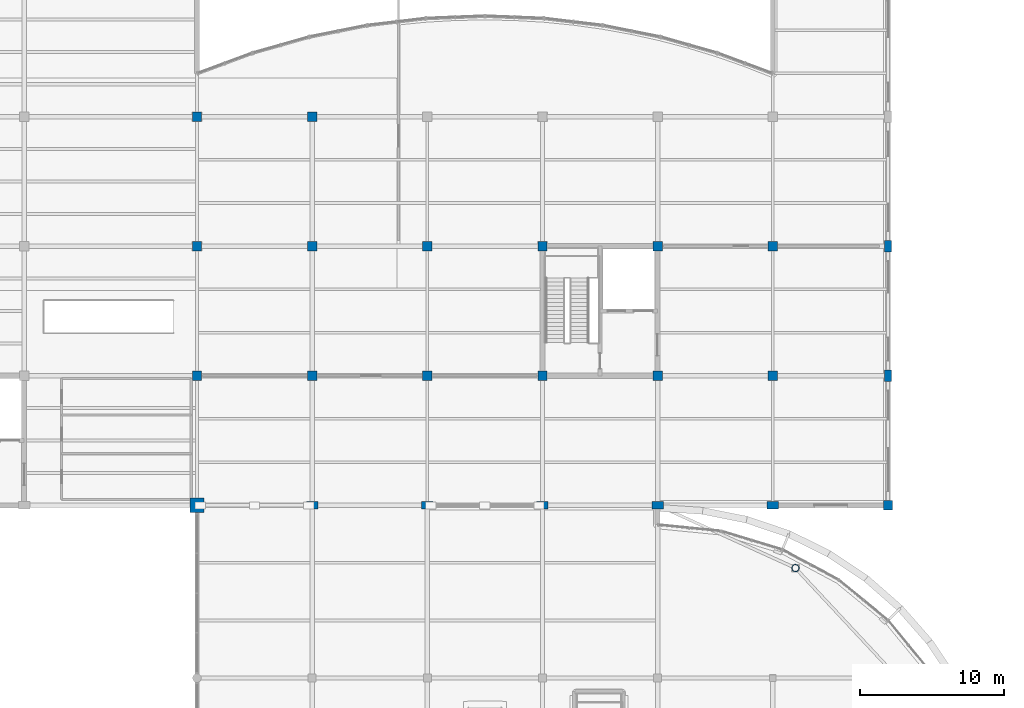
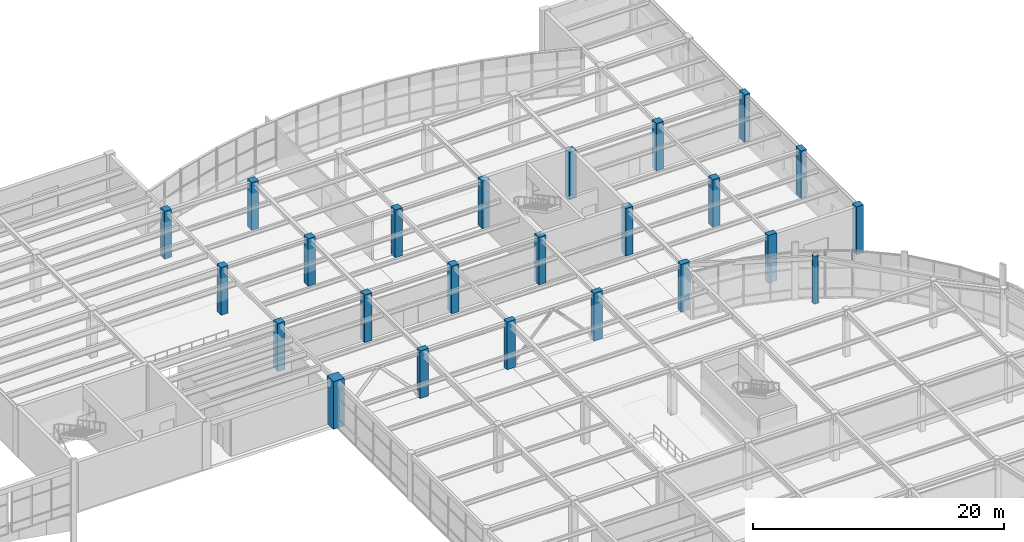
# One storey, part 8 of 63: 24 columns.
"""IFC4 building model written with IfcOpenShell, lengths in metres."""

from ifc_helpers import new_model, si_unit, direction, frame, origin, origin_2d, place, context, subcontext, project, spatial, rectangle, hollow_circle, extrude, material, material_profile, profile_set, type_object, element, save


model = new_model("IFC4")

# Units and contexts
model_context = context("Model", 3, precision=1e-05, world=origin(), true_north=direction((0.0, 1.0)))
body_context = subcontext(model_context, "Body", "Model", "MODEL_VIEW")
ifc_project = project(units=[si_unit("LENGTHUNIT", "METRE"), si_unit("AREAUNIT", "SQUARE_METRE"), si_unit("VOLUMEUNIT", "CUBIC_METRE"), si_unit("PLANEANGLEUNIT", "RADIAN"), si_unit("MASSUNIT", "GRAM", prefix="KILO")], contexts=[model_context])

# Site, building, storey
site_placement = place(None, origin())
site = spatial("IfcSite", under=ifc_project, at=site_placement, CompositionType="ELEMENT")
building_placement = place(site_placement, origin())
building = spatial("IfcBuilding", under=site, at=building_placement, Name="Keelwater Ferry Terminal", CompositionType="ELEMENT")
storey_placement = place(building_placement, frame((0.0, 0.0, 10.199951171875)))
storey = spatial("IfcBuildingStorey", under=building, at=storey_placement, Name="L02", CompositionType="ELEMENT", Elevation=10.199951171875)

# Columns
ifc_material_1 = material(Name="Concrete C45/55", Category="concrete")
ifc_material_profile_1 = material_profile(ifc_material_1, rectangle(XDim=0.64990234375, YDim=0.64990234375, at=origin_2d()), Name="RC 650x650")
ifc_profile_set_1 = profile_set([ifc_material_profile_1], Name="Concrete C45/55")
column_type_1 = type_object("IfcColumnType", Name="C3 RC 650x650", PredefinedType="COLUMN", material=ifc_profile_set_1)
for number, where, z_axis, x_axis, name in (
    (1, (132.0, 99.0, 0.0), (0.0, 0.0, 1.0), (1.0, 0.0, 0.0), "Column CL-L02-0262"),
    (2, (132.0, 108.0, 0.0), (0.0, 0.0, 1.0), (1.0, 0.0, 0.0), "Column CL-L02-0268"),
    (3, (132.0, 117.0, 0.0), (0.0, 0.0, 1.0), (1.0, 0.0, 0.0), "Column CL-L02-0274"),
    (4, (140.0, 99.0, 0.0), (0.0, 0.0, 1.0), (1.0, 0.0, 0.0), "Column CL-L02-0314"),
    (5, (140.0, 108.0, 0.0), (0.0, 0.0, 1.0), (1.0, 0.0, 0.0), "Column CL-L02-0320"),
    (6, (140.0, 117.0, 0.0), (0.0, 0.0, 1.0), (1.0, 0.0, 0.0), "Column CL-L02-0326"),
    (7, (148.0, 99.0, 0.0), (0.0, 0.0, 1.0), (1.0, 0.0, 0.0), "Column CL-L02-0361"),
    (8, (148.0, 108.0, 0.0), (0.0, 0.0, 1.0), (1.0, 0.0, 0.0), "Column CL-L02-0367"),
    (9, (156.0, 99.0, 0.0), (0.0, 0.0, 1.0), (1.0, 0.0, 0.0), "Column CL-L02-0400"),
    (10, (156.0, 108.0, 0.0), (0.0, 0.0, 1.0), (1.0, 0.0, 0.0), "Column CL-L02-0406"),
    (11, (164.0, 99.0, 0.0), (0.0, 0.0, 1.0), (1.0, 0.0, 0.0), "Column CL-L02-0439"),
    (12, (164.0, 108.0, 0.0), (0.0, 0.0, 1.0), (1.0, 0.0, 0.0), "Column CL-L02-0445"),
    (13, (172.0, 99.0, 0.0), (0.0, 0.0, 1.0), (1.0, 0.0, 0.0), "Column CL-L02-0472"),
    (14, (172.0, 108.0, 0.0), (0.0, 0.0, 1.0), (1.0, 0.0, 0.0), "Column CL-L02-0478"),
):
    element("IfcColumn", number, at=place(storey_placement, frame(where, z_axis=z_axis, x_axis=x_axis)), inside=storey, type_object=column_type_1, Name=name, PredefinedType="COLUMN", context=body_context, shape_type="SweptSolid", body=[
        extrude(rectangle(XDim=0.64990234375, YDim=0.64990234375, at=origin_2d()), origin(), (0.0, 0.0, 1.0), 4.64013671875),
    ])
ifc_material_2 = material(Name="Concrete C45/55", Category="concrete")
ifc_material_profile_2 = material_profile(ifc_material_2, rectangle(XDim=0.64990234375, YDim=0.64990234375, at=origin_2d()), Name="RC 650x650")
ifc_profile_set_2 = profile_set([ifc_material_profile_2], Name="Concrete C45/55")
column_type_2 = type_object("IfcColumnType", Name="C3E RC 650x650", PredefinedType="COLUMN", material=ifc_profile_set_2)
column_1_placement = place(storey_placement, frame((180.0, 90.0, 0.0), z_axis=(0.0, 0.0, 1.0), x_axis=(1.0, 0.0, 0.0)))
element("IfcColumn", 15, at=column_1_placement, inside=storey, type_object=column_type_2, Name="Column CL-L02-0504", PredefinedType="COLUMN", context=body_context, shape_type="SweptSolid", body=[
    extrude(rectangle(XDim=0.64990234375, YDim=0.64990234375, at=origin_2d()), origin(), (0.0, 0.0, 1.0), 4.64013671875),
])
ifc_material_3 = material(Name="Steel S355", Category="steel")
ifc_material_profile_3 = material_profile(ifc_material_3, hollow_circle(Radius=0.25390625, WallThickness=0.02001953125, at=origin_2d()), Name="CHS 508x20")
ifc_profile_set_3 = profile_set([ifc_material_profile_3], Name="Steel S355")
column_type_3 = type_object("IfcColumnType", Name="C8E CHS 508x20", PredefinedType="COLUMN", material=ifc_profile_set_3)
column_2_placement = place(storey_placement, frame((173.577880859375, 85.638916015625, 0.0), z_axis=(0.0, 0.0, 1.0), x_axis=(1.0, 0.0, 0.0)))
element("IfcColumn", 16, at=column_2_placement, inside=storey, type_object=column_type_3, Name="Column CL-L02-0544", PredefinedType="COLUMN", context=body_context, shape_type="SweptSolid", body=[
    extrude(hollow_circle(Radius=0.25390625, WallThickness=0.02001953125, at=origin_2d()), origin(), (0.0, 0.0, 1.0), 4.64013671875),
])
ifc_material_4 = material(Name="Concrete C50/60", Category="concrete")
ifc_material_profile_4 = material_profile(ifc_material_4, rectangle(XDim=1.0, YDim=1.0, at=origin_2d()), Name="RC 1000x1000")
ifc_profile_set_4 = profile_set([ifc_material_profile_4], Name="Concrete C50/60")
column_type_4 = type_object("IfcColumnType", Name="MC1E RC 1000x1000", PredefinedType="COLUMN", material=ifc_profile_set_4)
column_3_placement = place(storey_placement, frame((132.0, 90.0, 0.0), z_axis=(0.0, 0.0, 1.0), x_axis=(1.0, 0.0, 0.0)))
element("IfcColumn", 17, at=column_3_placement, inside=storey, type_object=column_type_4, Name="Column CL-L02-0256", PredefinedType="COLUMN", context=body_context, shape_type="SweptSolid", body=[
    extrude(rectangle(XDim=1.0, YDim=1.0, at=origin_2d()), origin(), (0.0, 0.0, 1.0), 4.64013671875),
])
ifc_material_5 = material(Name="Concrete C45/55", Category="concrete")
ifc_material_profile_5 = material_profile(ifc_material_5, rectangle(XDim=0.5, YDim=0.800048828125, at=origin_2d()), Name="RC 800x500")
ifc_profile_set_5 = profile_set([ifc_material_profile_5], Name="Concrete C45/55")
column_type_5 = type_object("IfcColumnType", Name="PL2E RC 800x500", PredefinedType="PILASTER", material=ifc_profile_set_5)
for number, where, z_axis, x_axis, name in (
    (18, (140.0, 90.0, 0.0), (0.0, 0.0, 1.0), (0.0, 1.0, 0.0), "Column CL-L02-0308"),
    (19, (148.0, 90.0, 0.0), (0.0, 0.0, 1.0), (0.0, 1.0, 0.0), "Column CL-L02-0355"),
    (20, (156.0, 90.0, 0.0), (0.0, 0.0, 1.0), (0.0, 1.0, 0.0), "Column CL-L02-0394"),
    (21, (164.0, 90.0, 0.0), (0.0, 0.0, 1.0), (0.0, 1.0, 0.0), "Column CL-L02-0433"),
    (22, (172.0, 90.0, 0.0), (0.0, 0.0, 1.0), (0.0, 1.0, 0.0), "Column CL-L02-0466"),
    (23, (180.0, 99.0, 0.0), (0.0, 0.0, 1.0), (1.0, 0.0, 0.0), "Column CL-L02-0509"),
    (24, (180.0, 108.0, 0.0), (0.0, 0.0, 1.0), (1.0, 0.0, 0.0), "Column CL-L02-0514"),
):
    element("IfcColumn", number, at=place(storey_placement, frame(where, z_axis=z_axis, x_axis=x_axis)), inside=storey, type_object=column_type_5, Name=name, PredefinedType="PILASTER", context=body_context, shape_type="SweptSolid", body=[
        extrude(rectangle(XDim=0.5, YDim=0.800048828125, at=origin_2d()), origin(), (0.0, 0.0, 1.0), 4.64013671875),
    ])

save(model, "model.ifc")
